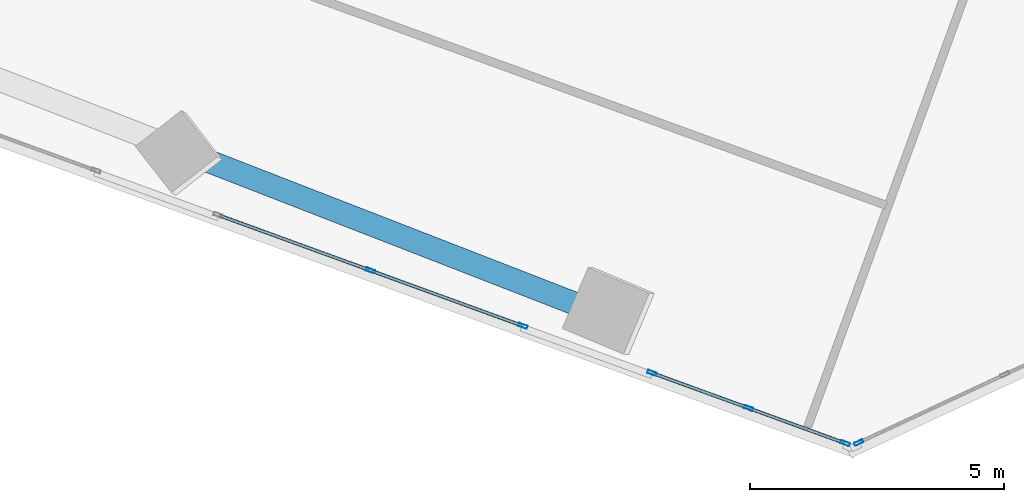
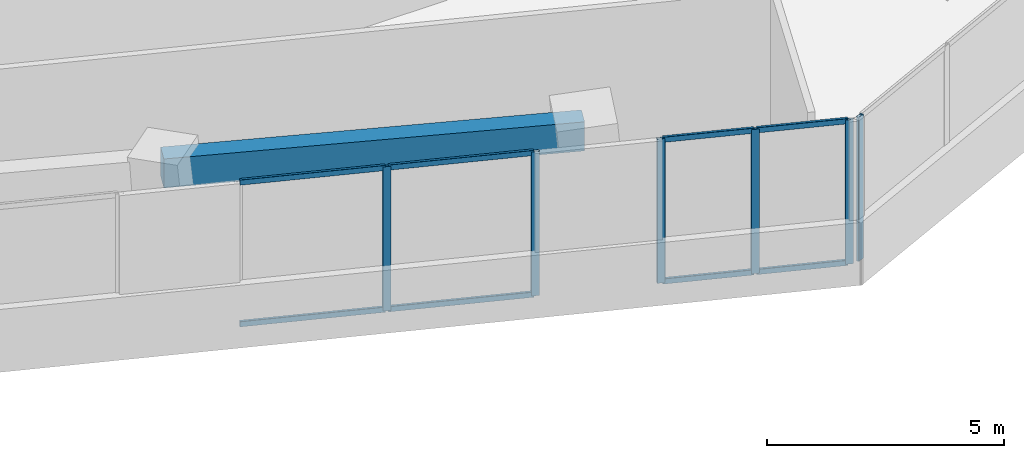
# One storey, part 4 of 21: 14 members, 1 beam, 3 elements without a shape of their own.
"""IFC4 building model written with IfcOpenShell, lengths in metres."""

from ifc_helpers import new_model, si_unit, direction, frame, origin, origin_2d, place, context, subcontext, project, spatial, rectangle, hollow_rectangle, extrude, source, transform, mapped, material, material_profile, profile_set, type_object, element, aggregate, save


model = new_model("IFC4")

# Units and contexts
model_context = context("Model", 3, precision=1e-05, world=origin(), true_north=direction((0.0, 1.0)))
body_context = subcontext(model_context, "Body", "Model", "MODEL_VIEW")
ifc_project = project(units=[si_unit("LENGTHUNIT", "METRE"), si_unit("AREAUNIT", "SQUARE_METRE"), si_unit("VOLUMEUNIT", "CUBIC_METRE"), si_unit("PLANEANGLEUNIT", "RADIAN"), si_unit("MASSUNIT", "GRAM", prefix="KILO")], contexts=[model_context])

# Site, building, storey
site_placement = place(None, origin())
site = spatial("IfcSite", under=ifc_project, at=site_placement, CompositionType="ELEMENT")
building_placement = place(site_placement, origin())
building = spatial("IfcBuilding", under=site, at=building_placement, Name="Torre Montelarca", CompositionType="ELEMENT")
storey_placement = place(building_placement, frame((0.0, 0.0, 133.0)))
storey = spatial("IfcBuildingStorey", under=building, at=storey_placement, Name="L29", CompositionType="ELEMENT", Elevation=133.0)

# Beam
ifc_material_1 = material(Name="Concrete C55/67", Category="concrete")
ifc_material_profile_1 = material_profile(ifc_material_1, rectangle(XDim=0.449951171875, YDim=0.75, at=origin_2d()), Name="RCB450X750", Category="concrete")
ifc_profile_set_1 = profile_set([ifc_material_profile_1], Name="Concrete C55/67")
beam_type = type_object("IfcBeamType", Name="BM-SP-RC750-EXT", PredefinedType="SPANDREL", material=ifc_profile_set_1)
shared_shape_1 = source(origin(), body_context, "Body", "SweptSolid", [
    extrude(rectangle(XDim=0.449951171875, YDim=0.75, at=origin_2d()), origin(), (0.0, 0.0, 1.0), 9.0),
])
beam_placement = place(storey_placement, frame((12.00390625, 17.238037109375, 3.5849609375), z_axis=(0.932008744078, -0.362435788743, 0.0), x_axis=(0.362435788743, 0.932008744078, 0.0)))
element("IfcBeam", 1, at=beam_placement, inside=storey, type_object=beam_type, Name="L29 Grid Girder X 18.0-27.0 at Y=14.8", PredefinedType="SPANDREL", context=body_context, shape_type="MappedRepresentation", body=[
    mapped(shared_shape_1, transform((0.0, 0.0, 0.0), scale=1.0)),
])

# Curtain wall, members
ifc_material_2 = material(Name="Insulated low-E laminated glass", Category="glass")
curtain_wall_type = type_object("IfcCurtainWallType", Name="CW-SYS-Z2", PredefinedType="USERDEFINED", material=ifc_material_2)
curtain_wall_1_placement = place(storey_placement, origin())
curtain_wall_1 = element("IfcCurtainWall", 2, at=curtain_wall_1_placement, inside=storey, type_object=curtain_wall_type, Name="L29 Curtain Wall Run CW-T3-L29-E01-B2", ObjectType="UNITISED GLAZING", PredefinedType="USERDEFINED")
ifc_material_3 = material(Name="Anodised aluminium AA 6063-T6", Category="aluminium")
ifc_material_profile_2 = material_profile(ifc_material_3, hollow_rectangle(XDim=0.06494140625, YDim=0.179931640625, WallThickness=0.00390625, InnerFilletRadius=0.00390625, OuterFilletRadius=0.008056640625, at=origin_2d()), Name="ALU65X180X4", Category="aluminium")
ifc_profile_set_2 = profile_set([ifc_material_profile_2], Name="Anodised aluminium AA 6063-T6")
member_type_1 = type_object("IfcMemberType", Name="CWM-ALU180", PredefinedType="MULLION", material=ifc_profile_set_2)
shared_shape_2 = source(origin(), body_context, "Body", "SweptSolid", [
    extrude(hollow_rectangle(XDim=0.06494140625, YDim=0.179931640625, WallThickness=0.00390625, InnerFilletRadius=0.00390625, OuterFilletRadius=0.008056640625, at=origin_2d()), origin(), (0.0, 0.0, 1.0), 3.719970703125),
])
member_1_placement = place(storey_placement, frame((16.047119140625, 14.7548828125, 0.0), z_axis=(0.0, 0.0, 1.0), x_axis=(0.34202114295, 0.939692256952, 0.0)))
member_1 = element("IfcMember", 3, at=member_1_placement, type_object=member_type_1, Name="CW mullion 2", PredefinedType="MULLION", context=body_context, shape_type="MappedRepresentation", body=[
    mapped(shared_shape_2, transform((0.0, 0.0, 0.0), scale=1.0)),
])
member_2_placement = place(storey_placement, frame((19.041748046875, 13.6650390625, 0.0), z_axis=(0.0, 0.0, 1.0), x_axis=(0.34202114295, 0.939692256952, 0.0)))
member_2 = element("IfcMember", 4, at=member_2_placement, type_object=member_type_1, Name="CW mullion 3", PredefinedType="MULLION", context=body_context, shape_type="MappedRepresentation", body=[
    mapped(shared_shape_2, transform((0.0, 0.0, 0.0), scale=1.0)),
])

curtain_wall_2_placement = place(storey_placement, origin())
curtain_wall_2 = element("IfcCurtainWall", 5, at=curtain_wall_2_placement, inside=storey, type_object=curtain_wall_type, Name="L29 Curtain Wall Run CW-T3-L29-E01-B3", ObjectType="UNITISED GLAZING", PredefinedType="USERDEFINED")
member_3_placement = place(storey_placement, frame((21.580322265625, 12.740966796875, 0.0), z_axis=(0.0, 0.0, 1.0), x_axis=(0.342022810083, 0.939691650161, 0.0)))
member_3 = element("IfcMember", 6, at=member_3_placement, type_object=member_type_1, Name="CW mullion 1", PredefinedType="MULLION", context=body_context, shape_type="MappedRepresentation", body=[
    mapped(shared_shape_2, transform((0.0, 0.0, 0.0), scale=1.0)),
])
member_4_placement = place(storey_placement, frame((23.478271484375, 12.05029296875, 0.0), z_axis=(0.0, 0.0, 1.0), x_axis=(0.342022810083, 0.939691650161, 0.0)))
member_4 = element("IfcMember", 7, at=member_4_placement, type_object=member_type_1, Name="CW mullion 2", PredefinedType="MULLION", context=body_context, shape_type="MappedRepresentation", body=[
    mapped(shared_shape_2, transform((0.0, 0.0, 0.0), scale=1.0)),
])
member_5_placement = place(storey_placement, frame((25.3759765625, 11.359619140625, 0.0), z_axis=(0.0, 0.0, 1.0), x_axis=(0.342022810083, 0.939691650161, 0.0)))
member_5 = element("IfcMember", 8, at=member_5_placement, type_object=member_type_1, Name="CW mullion 3", PredefinedType="MULLION", context=body_context, shape_type="MappedRepresentation", body=[
    mapped(shared_shape_2, transform((0.0, 0.0, 0.0), scale=1.0)),
])

# Curtain wall, member
curtain_wall_3_placement = place(storey_placement, origin())
curtain_wall_3 = element("IfcCurtainWall", 9, at=curtain_wall_3_placement, inside=storey, type_object=curtain_wall_type, Name="L29 Curtain Wall Run CW-T3-L29-E02-B1", ObjectType="UNITISED GLAZING", PredefinedType="USERDEFINED")
member_6_placement = place(storey_placement, frame((25.642822265625, 11.371337890625, 0.0), z_axis=(0.0, 0.0, 1.0), x_axis=(-0.42258947224, 0.906321211244, 0.0)))
member_6 = element("IfcMember", 10, at=member_6_placement, type_object=member_type_1, Name="CW mullion 1", PredefinedType="MULLION", context=body_context, shape_type="MappedRepresentation", body=[
    mapped(shared_shape_2, transform((0.0, 0.0, 0.0), scale=1.0)),
])
aggregate(curtain_wall_3, [member_6])

# Member
ifc_material_profile_3 = material_profile(ifc_material_3, hollow_rectangle(XDim=0.06494140625, YDim=0.139892578125, WallThickness=0.00390625, InnerFilletRadius=0.00390625, OuterFilletRadius=0.008056640625, at=origin_2d()), Name="ALU65X140X4", Category="aluminium")
ifc_profile_set_3 = profile_set([ifc_material_profile_3], Name="Anodised aluminium AA 6063-T6")
member_type_2 = type_object("IfcMemberType", Name="CWT-ALU140", PredefinedType="USERDEFINED", material=ifc_profile_set_3)
shared_shape_3 = source(origin(), body_context, "Body", "SweptSolid", [
    extrude(hollow_rectangle(XDim=0.06494140625, YDim=0.139892578125, WallThickness=0.00390625, InnerFilletRadius=0.00390625, OuterFilletRadius=0.008056640625, at=origin_2d()), origin(), (0.0, 0.0, 1.0), 1.95458984375),
])
member_7_placement = place(storey_placement, frame((21.611083984375, 12.72998046875, 0.032470703125), z_axis=(0.939698565058, -0.34200381113, 0.0), x_axis=(0.34200381113, 0.939698565058, 0.0)))
member_7 = element("IfcMember", 11, at=member_7_placement, type_object=member_type_2, Name="CW transom 1.1", ObjectType="TRANSOM", PredefinedType="USERDEFINED", context=body_context, shape_type="MappedRepresentation", body=[
    mapped(shared_shape_3, transform((0.0, 0.0, 0.0), scale=1.0)),
])

member_8_placement = place(storey_placement, frame((21.611083984375, 12.72998046875, 3.6875), z_axis=(0.939698565058, -0.34200381113, 0.0), x_axis=(0.34200381113, 0.939698565058, 0.0)))
member_8 = element("IfcMember", 12, at=member_8_placement, type_object=member_type_2, Name="CW transom 1.2", ObjectType="TRANSOM", PredefinedType="USERDEFINED", context=body_context, shape_type="MappedRepresentation", body=[
    mapped(shared_shape_3, transform((0.0, 0.0, 0.0), scale=1.0)),
])

member_9_placement = place(storey_placement, frame((23.5087890625, 12.039306640625, 0.032470703125), z_axis=(0.939698565058, -0.34200381113, 0.0), x_axis=(0.34200381113, 0.939698565058, 0.0)))
member_9 = element("IfcMember", 13, at=member_9_placement, type_object=member_type_2, Name="CW transom 2.1", ObjectType="TRANSOM", PredefinedType="USERDEFINED", context=body_context, shape_type="MappedRepresentation", body=[
    mapped(shared_shape_3, transform((0.0, 0.0, 0.0), scale=1.0)),
])

member_10_placement = place(storey_placement, frame((23.5087890625, 12.039306640625, 3.6875), z_axis=(0.939698565058, -0.34200381113, 0.0), x_axis=(0.34200381113, 0.939698565058, 0.0)))
member_10 = element("IfcMember", 14, at=member_10_placement, type_object=member_type_2, Name="CW transom 2.2", ObjectType="TRANSOM", PredefinedType="USERDEFINED", context=body_context, shape_type="MappedRepresentation", body=[
    mapped(shared_shape_3, transform((0.0, 0.0, 0.0), scale=1.0)),
])

aggregate(curtain_wall_2, [member_3, member_4, member_5, member_7, member_8, member_9, member_10])

shared_shape_4 = source(origin(), body_context, "Body", "SweptSolid", [
    extrude(hollow_rectangle(XDim=0.06494140625, YDim=0.139892578125, WallThickness=0.00390625, InnerFilletRadius=0.00390625, OuterFilletRadius=0.008056640625, at=origin_2d()), origin(), (0.0, 0.0, 1.0), 3.12158203125),
])
member_11_placement = place(storey_placement, frame((13.083251953125, 15.833740234375, 0.032470703125), z_axis=(0.939695193826, -0.342013073874, 0.0), x_axis=(0.342013073874, 0.939695193826, 0.0)))
member_11 = element("IfcMember", 15, at=member_11_placement, type_object=member_type_2, Name="CW transom 1.1", ObjectType="TRANSOM", PredefinedType="USERDEFINED", context=body_context, shape_type="MappedRepresentation", body=[
    mapped(shared_shape_4, transform((0.0, 0.0, 0.0), scale=1.0)),
])

member_12_placement = place(storey_placement, frame((13.083251953125, 15.833740234375, 3.6875), z_axis=(0.939695193826, -0.342013073874, 0.0), x_axis=(0.342013073874, 0.939695193826, 0.0)))
member_12 = element("IfcMember", 16, at=member_12_placement, type_object=member_type_2, Name="CW transom 1.2", ObjectType="TRANSOM", PredefinedType="USERDEFINED", context=body_context, shape_type="MappedRepresentation", body=[
    mapped(shared_shape_4, transform((0.0, 0.0, 0.0), scale=1.0)),
])

shared_shape_5 = source(origin(), body_context, "Body", "SweptSolid", [
    extrude(hollow_rectangle(XDim=0.06494140625, YDim=0.139892578125, WallThickness=0.00390625, InnerFilletRadius=0.00390625, OuterFilletRadius=0.008056640625, at=origin_2d()), origin(), (0.0, 0.0, 1.0), 3.121826171875),
])
member_13_placement = place(storey_placement, frame((16.07763671875, 14.743896484375, 0.032470703125), z_axis=(0.939679207062, -0.342056994981, 0.0), x_axis=(0.342056994981, 0.939679207062, 0.0)))
member_13 = element("IfcMember", 17, at=member_13_placement, type_object=member_type_2, Name="CW transom 2.1", ObjectType="TRANSOM", PredefinedType="USERDEFINED", context=body_context, shape_type="MappedRepresentation", body=[
    mapped(shared_shape_5, transform((0.0, 0.0, 0.0), scale=1.0)),
])

member_14_placement = place(storey_placement, frame((16.07763671875, 14.743896484375, 3.6875), z_axis=(0.939679207062, -0.342056994981, 0.0), x_axis=(0.342056994981, 0.939679207062, 0.0)))
member_14 = element("IfcMember", 18, at=member_14_placement, type_object=member_type_2, Name="CW transom 2.2", ObjectType="TRANSOM", PredefinedType="USERDEFINED", context=body_context, shape_type="MappedRepresentation", body=[
    mapped(shared_shape_5, transform((0.0, 0.0, 0.0), scale=1.0)),
])

aggregate(curtain_wall_1, [member_1, member_2, member_11, member_12, member_13, member_14])

save(model, "model.ifc")
